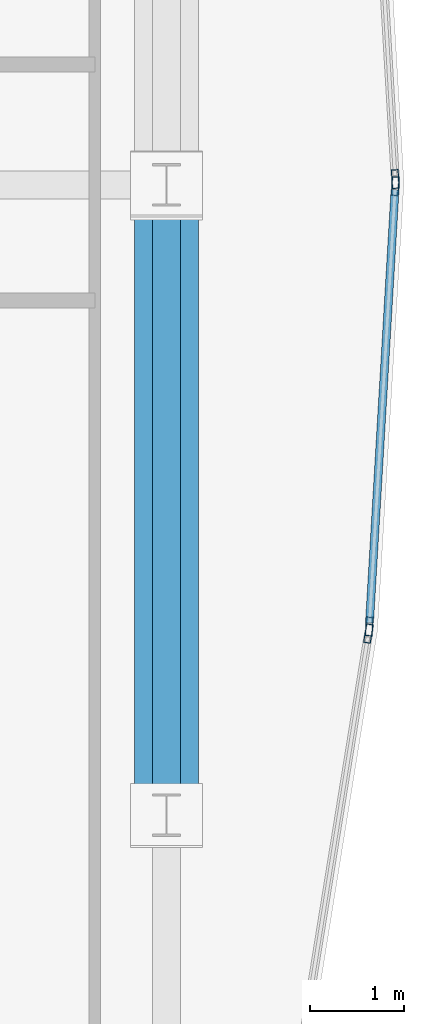
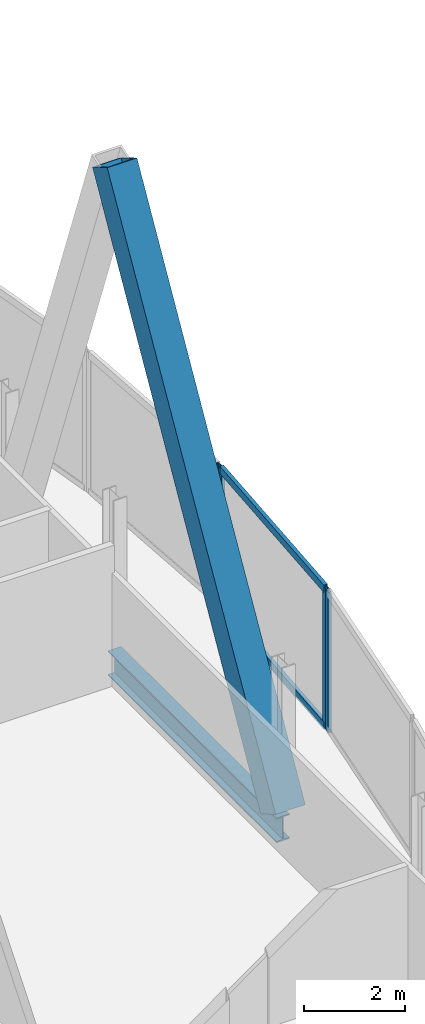
# One storey, part 18 of 31: 7 members, 1 beam, 3 elements without a shape of their own.
"""IFC4 building model written with IfcOpenShell, lengths in metres."""

from ifc_helpers import new_model, si_unit, direction, frame, origin, origin_2d, place, context, subcontext, project, spatial, hollow_rectangle, i_section, extrude, material, material_profile, profile_set, type_object, element, aggregate, save


model = new_model("IFC4")

# Units and contexts
model_context = context("Model", 3, precision=1e-05, world=origin(), true_north=direction((0.0, 1.0)))
body_context = subcontext(model_context, "Body", "Model", "MODEL_VIEW")
ifc_project = project(units=[si_unit("LENGTHUNIT", "METRE"), si_unit("AREAUNIT", "SQUARE_METRE"), si_unit("VOLUMEUNIT", "CUBIC_METRE"), si_unit("PLANEANGLEUNIT", "RADIAN"), si_unit("MASSUNIT", "GRAM", prefix="KILO")], contexts=[model_context])

# Site, building, storey
site_placement = place(None, origin())
site = spatial("IfcSite", under=ifc_project, at=site_placement, CompositionType="ELEMENT")
building_placement = place(site_placement, origin())
building = spatial("IfcBuilding", under=site, at=building_placement, Name="Khoronbel Lancet Exchange", CompositionType="ELEMENT")
storey_placement = place(building_placement, frame((0.0, 0.0, 261.800048828125)))
storey = spatial("IfcBuildingStorey", under=building, at=storey_placement, Name="L67", CompositionType="ELEMENT", Elevation=261.800048828125)

# Beam
ifc_material_1 = material(Name="Steel S355", Category="steel")
ifc_material_profile_1 = material_profile(ifc_material_1, i_section(OverallWidth=0.300048828125, OverallDepth=0.60009765625, WebThickness=0.015380859375, FlangeThickness=0.030029296875, at=origin_2d()), Name="HEB 600")
ifc_profile_set_1 = profile_set([ifc_material_profile_1], Name="Steel S355")
beam_type = type_object("IfcBeamType", Name="BM-BSP2", PredefinedType="SPANDREL", material=ifc_profile_set_1)
beam_placement = place(storey_placement, frame((63.6298828125, 24.75, -0.4599609375), z_axis=(0.0, 1.0, 0.0), x_axis=(-1.0, 0.0, 0.0)))
element("IfcBeam", 1, at=beam_placement, inside=storey, type_object=beam_type, Name="Level L67 perimeter spandrel beam SP12", PredefinedType="SPANDREL", context=body_context, shape_type="SweptSolid", body=[
    extrude(i_section(OverallWidth=0.300048828125, OverallDepth=0.60009765625, WebThickness=0.015380859375, FlangeThickness=0.030029296875, at=origin_2d()), origin(), (0.0, 0.0, 1.0), 6.675048828125),
])

# Curtain wall, member
ifc_material_2 = material(Name="Low-E Solar Control Insulating Glass", Category="glass")
curtain_wall_type = type_object("IfcCurtainWallType", Name="CW-4", PredefinedType="NOTDEFINED", material=ifc_material_2)
curtain_wall_1_placement = place(storey_placement, origin())
curtain_wall_1 = element("IfcCurtainWall", 2, at=curtain_wall_1_placement, inside=storey, type_object=curtain_wall_type, Name="Unitised curtain wall CW-L67-E19", PredefinedType="NOTDEFINED")
ifc_material_3 = material(Name="Bronze-Anodised Aluminium 6063-T6", Category="aluminium")
ifc_material_profile_2 = material_profile(ifc_material_3, hollow_rectangle(XDim=0.074951171875, YDim=0.199951171875, WallThickness=0.0048828125, at=origin_2d()), Name="ALU MULLION 75x200")
ifc_profile_set_2 = profile_set([ifc_material_profile_2], Name="Bronze-Anodised Aluminium 6063-T6")
member_type_1 = type_object("IfcMemberType", Name="MEM-CWM2", PredefinedType="MULLION", material=ifc_profile_set_2)
member_1_placement = place(storey_placement, frame((66.0537109375, 31.487548828125, 0.0), z_axis=(0.0, 0.0, 1.0), x_axis=(0.998257411242, 0.059009667857, 0.0)))
member_1 = element("IfcMember", 3, at=member_1_placement, type_object=member_type_1, Name="CW4 mullion 2", PredefinedType="MULLION", context=body_context, shape_type="SweptSolid", body=[
    extrude(hollow_rectangle(XDim=0.074951171875, YDim=0.199951171875, WallThickness=0.0048828125, at=origin_2d()), origin(), (0.0, 0.0, 1.0), 3.39990234375),
])
aggregate(curtain_wall_1, [member_1])

# Curtain wall, members
curtain_wall_2_placement = place(storey_placement, origin())
curtain_wall_2 = element("IfcCurtainWall", 4, at=curtain_wall_2_placement, inside=storey, type_object=curtain_wall_type, Name="Unitised curtain wall CW-L67-E20", PredefinedType="NOTDEFINED")
member_2_placement = place(storey_placement, frame((66.0537109375, 31.41259765625, 0.0), z_axis=(0.0, 0.0, 1.0), x_axis=(0.998257411242, -0.059009667857, 0.0)))
member_2 = element("IfcMember", 5, at=member_2_placement, type_object=member_type_1, Name="CW4 mullion 1", PredefinedType="MULLION", context=body_context, shape_type="SweptSolid", body=[
    extrude(hollow_rectangle(XDim=0.074951171875, YDim=0.199951171875, WallThickness=0.0048828125, at=origin_2d()), origin(), (0.0, 0.0, 1.0), 3.39990234375),
])
member_3_placement = place(storey_placement, frame((65.778076171875, 26.747314453125, 0.0), z_axis=(0.0, 0.0, 1.0), x_axis=(0.998257411242, -0.059009667857, 0.0)))
member_3 = element("IfcMember", 6, at=member_3_placement, type_object=member_type_1, Name="CW4 mullion 2", PredefinedType="MULLION", context=body_context, shape_type="SweptSolid", body=[
    extrude(hollow_rectangle(XDim=0.074951171875, YDim=0.199951171875, WallThickness=0.0048828125, at=origin_2d()), origin(), (0.0, 0.0, 1.0), 3.39990234375),
])

# Curtain wall, member
curtain_wall_3_placement = place(storey_placement, origin())
curtain_wall_3 = element("IfcCurtainWall", 7, at=curtain_wall_3_placement, inside=storey, type_object=curtain_wall_type, Name="Unitised curtain wall CW-L67-E21", PredefinedType="NOTDEFINED")
member_4_placement = place(storey_placement, frame((65.769775390625, 26.6728515625, 0.0), z_axis=(0.0, 0.0, 1.0), x_axis=(0.987205103846, -0.159455582972, 0.0)))
member_4 = element("IfcMember", 8, at=member_4_placement, type_object=member_type_1, Name="CW4 mullion 1", PredefinedType="MULLION", context=body_context, shape_type="SweptSolid", body=[
    extrude(hollow_rectangle(XDim=0.074951171875, YDim=0.199951171875, WallThickness=0.0048828125, at=origin_2d()), origin(), (0.0, 0.0, 1.0), 3.39990234375),
])
aggregate(curtain_wall_3, [member_4])

# Member
ifc_material_profile_3 = material_profile(ifc_material_3, hollow_rectangle(XDim=0.0849609375, YDim=0.179931640625, WallThickness=0.0048828125, at=origin_2d()), Name="ALU TRANSOM 85x180")
ifc_profile_set_3 = profile_set([ifc_material_profile_3], Name="Bronze-Anodised Aluminium 6063-T6")
member_type_2 = type_object("IfcMemberType", Name="MEM-CWT1", PredefinedType="USERDEFINED", material=ifc_profile_set_3)
member_5_placement = place(storey_placement, frame((66.051513671875, 31.375244140625, 0.04248046875), z_axis=(-0.058983444435, -0.998258961033, 0.0), x_axis=(0.998258961033, -0.058983444435, 0.0)))
member_5 = element("IfcMember", 9, at=member_5_placement, type_object=member_type_2, Name="CW4 transom 1.1", ObjectType="TRANSOM", PredefinedType="USERDEFINED", context=body_context, shape_type="SweptSolid", body=[
    extrude(hollow_rectangle(XDim=0.0849609375, YDim=0.179931640625, WallThickness=0.0048828125, at=origin_2d()), origin(), (0.0, 0.0, 1.0), 4.5986328125),
])

member_6_placement = place(storey_placement, frame((66.051513671875, 31.375244140625, 3.357421875), z_axis=(-0.058983444435, -0.998258961033, 0.0), x_axis=(0.998258961033, -0.058983444435, 0.0)))
member_6 = element("IfcMember", 10, at=member_6_placement, type_object=member_type_2, Name="CW4 transom 1.2", ObjectType="TRANSOM", PredefinedType="USERDEFINED", context=body_context, shape_type="SweptSolid", body=[
    extrude(hollow_rectangle(XDim=0.0849609375, YDim=0.179931640625, WallThickness=0.0048828125, at=origin_2d()), origin(), (0.0, 0.0, 1.0), 4.5986328125),
])

aggregate(curtain_wall_2, [member_2, member_3, member_5, member_6])

ifc_material_4 = material(Name="Steel S460", Category="steel")
ifc_material_profile_4 = material_profile(ifc_material_4, hollow_rectangle(XDim=0.679931640625, YDim=0.679931640625, WallThickness=0.044921875, at=origin_2d()), Name="BOX 680x680x45")
ifc_profile_set_4 = profile_set([ifc_material_profile_4], Name="Steel S460")
member_type_3 = type_object("IfcMemberType", Name="MEM-MB3", PredefinedType="BRACE", material=ifc_profile_set_4)
member_7_placement = place(storey_placement, frame((63.6298828125, 24.75, 0.0), z_axis=(0.0, 0.498759338511, 0.866740516099), x_axis=(-1.0, 0.0, 0.0)))
element("IfcMember", 11, at=member_7_placement, inside=storey, type_object=member_type_3, Name="Perimeter lancet brace tier 23 E-P-L", PredefinedType="BRACE", context=body_context, shape_type="SweptSolid", body=[
    extrude(hollow_rectangle(XDim=0.679931640625, YDim=0.679931640625, WallThickness=0.044921875, at=origin_2d()), origin(), (0.0, 0.0, 1.0), 13.38330078125),
])

save(model, "model.ifc")
